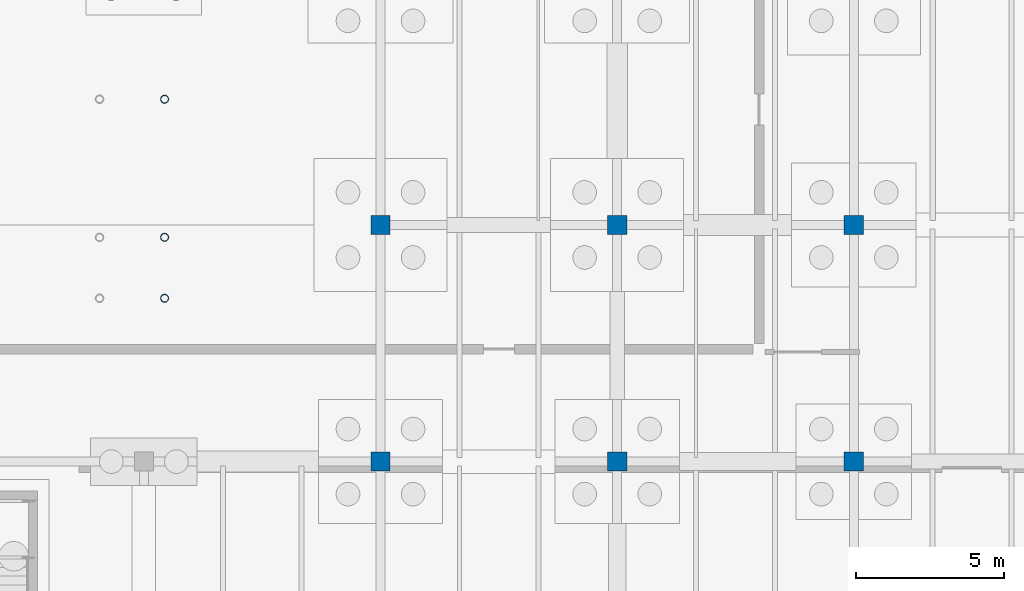
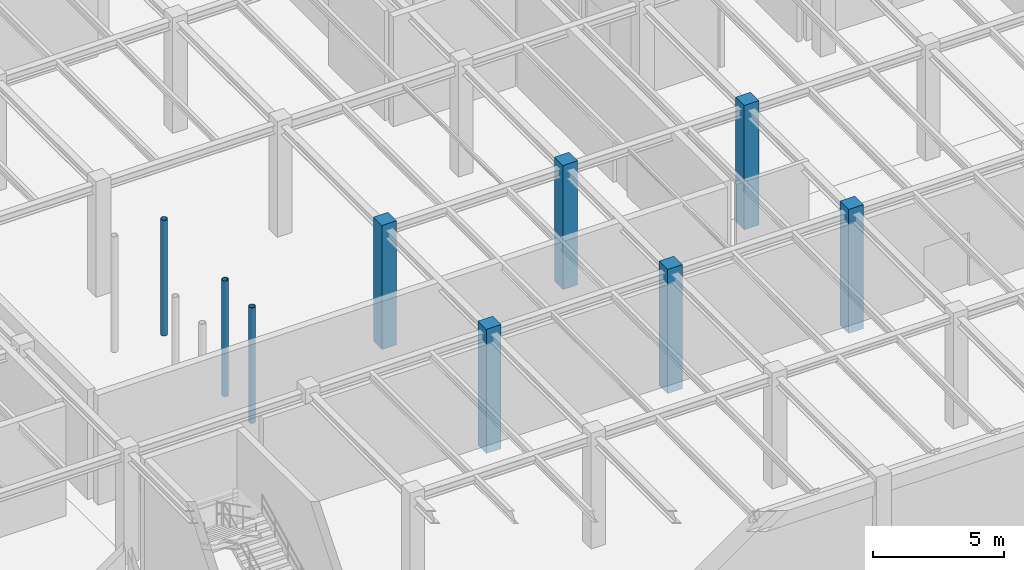
# One storey, part 22 of 71: 9 columns.
"""IFC4 building model written with IfcOpenShell, lengths in metres."""

from ifc_helpers import new_model, si_unit, direction, frame, origin, origin_2d, place, context, subcontext, project, spatial, rectangle, hollow_circle, extrude, material, material_profile, profile_set, type_object, element, save


model = new_model("IFC4")

# Units and contexts
model_context = context("Model", 3, precision=1e-05, world=origin(), true_north=direction((0.0, 1.0)))
body_context = subcontext(model_context, "Body", "Model", "MODEL_VIEW")
ifc_project = project(units=[si_unit("LENGTHUNIT", "METRE"), si_unit("AREAUNIT", "SQUARE_METRE"), si_unit("VOLUMEUNIT", "CUBIC_METRE"), si_unit("PLANEANGLEUNIT", "RADIAN"), si_unit("MASSUNIT", "GRAM", prefix="KILO")], contexts=[model_context])

# Site, building, storey
site_placement = place(None, origin())
site = spatial("IfcSite", under=ifc_project, at=site_placement, CompositionType="ELEMENT")
building_placement = place(site_placement, origin())
building = spatial("IfcBuilding", under=site, at=building_placement, Name="Sundkrona Museum", CompositionType="ELEMENT")
storey_placement = place(building_placement, frame((0.0, 0.0, -5.39990234375)))
storey = spatial("IfcBuildingStorey", under=building, at=storey_placement, Name="B1", CompositionType="ELEMENT", Elevation=-5.39990234375)

# Columns
ifc_material_1 = material(Name="Steel S355J2", Category="steel")
ifc_material_profile_1 = material_profile(ifc_material_1, hollow_circle(Radius=0.136474609375, WallThickness=0.012451171875, at=origin_2d()), Name="CHS 273.0x12.5")
ifc_profile_set_1 = profile_set([ifc_material_profile_1], Name="Steel S355J2")
column_type_1 = type_object("IfcColumnType", Name="C-CHS273", PredefinedType="COLUMN", material=ifc_profile_set_1)
for number, where, z_axis, x_axis, name in (
    (1, (128.699951171875, 21.52001953125, 0.0), (0.0, 0.0, 1.0), (1.0, 0.0, 0.0), "B1 Feature Stair FS-5 Column S1-1"),
    (2, (128.699951171875, 23.580078125, 0.0), (0.0, 0.0, 1.0), (1.0, 0.0, 0.0), "B1 Feature Stair FS-5 Column S2-1"),
    (3, (128.699951171875, 28.25, 0.0), (0.0, 0.0, 1.0), (1.0, 0.0, 0.0), "B1 Feature Stair FS-5 Column S3-1"),
):
    element("IfcColumn", number, at=place(storey_placement, frame(where, z_axis=z_axis, x_axis=x_axis)), inside=storey, type_object=column_type_1, Name=name, PredefinedType="COLUMN", context=body_context, shape_type="SweptSolid", body=[
        extrude(hollow_circle(Radius=0.136474609375, WallThickness=0.012451171875, at=origin_2d()), origin(), (0.0, 0.0, 1.0), 5.39990234375),
    ])
ifc_material_2 = material(Name="Concrete C40/50", Category="concrete")
ifc_material_profile_2 = material_profile(ifc_material_2, rectangle(XDim=0.64990234375, YDim=0.64990234375, at=origin_2d()), Name="RC 650x650")
ifc_profile_set_2 = profile_set([ifc_material_profile_2], Name="Concrete C40/50")
column_type_2 = type_object("IfcColumnType", Name="C-RC650", PredefinedType="COLUMN", material=ifc_profile_set_2)
for number, where, z_axis, x_axis, name in (
    (4, (136.0, 16.0, -0.400146484375), (0.0, 0.0, 1.0), (1.0, 0.0, 0.0), "B1 Column C/18"),
    (5, (136.0, 24.0, -0.400146484375), (0.0, 0.0, 1.0), (1.0, 0.0, 0.0), "B1 Column D/18"),
    (6, (144.0, 16.0, -0.400146484375), (0.0, 0.0, 1.0), (1.0, 0.0, 0.0), "B1 Column C/19"),
    (7, (144.0, 24.0, -0.400146484375), (0.0, 0.0, 1.0), (1.0, 0.0, 0.0), "B1 Column D/19"),
    (8, (152.0, 16.0, -0.400146484375), (0.0, 0.0, 1.0), (1.0, 0.0, 0.0), "B1 Column C/20"),
    (9, (152.0, 24.0, -0.400146484375), (0.0, 0.0, 1.0), (1.0, 0.0, 0.0), "B1 Column D/20"),
):
    element("IfcColumn", number, at=place(storey_placement, frame(where, z_axis=z_axis, x_axis=x_axis)), inside=storey, type_object=column_type_2, Name=name, PredefinedType="COLUMN", context=body_context, shape_type="SweptSolid", body=[
        extrude(rectangle(XDim=0.64990234375, YDim=0.64990234375, at=origin_2d()), origin(), (0.0, 0.0, 1.0), 5.800048828125),
    ])

save(model, "model.ifc")
